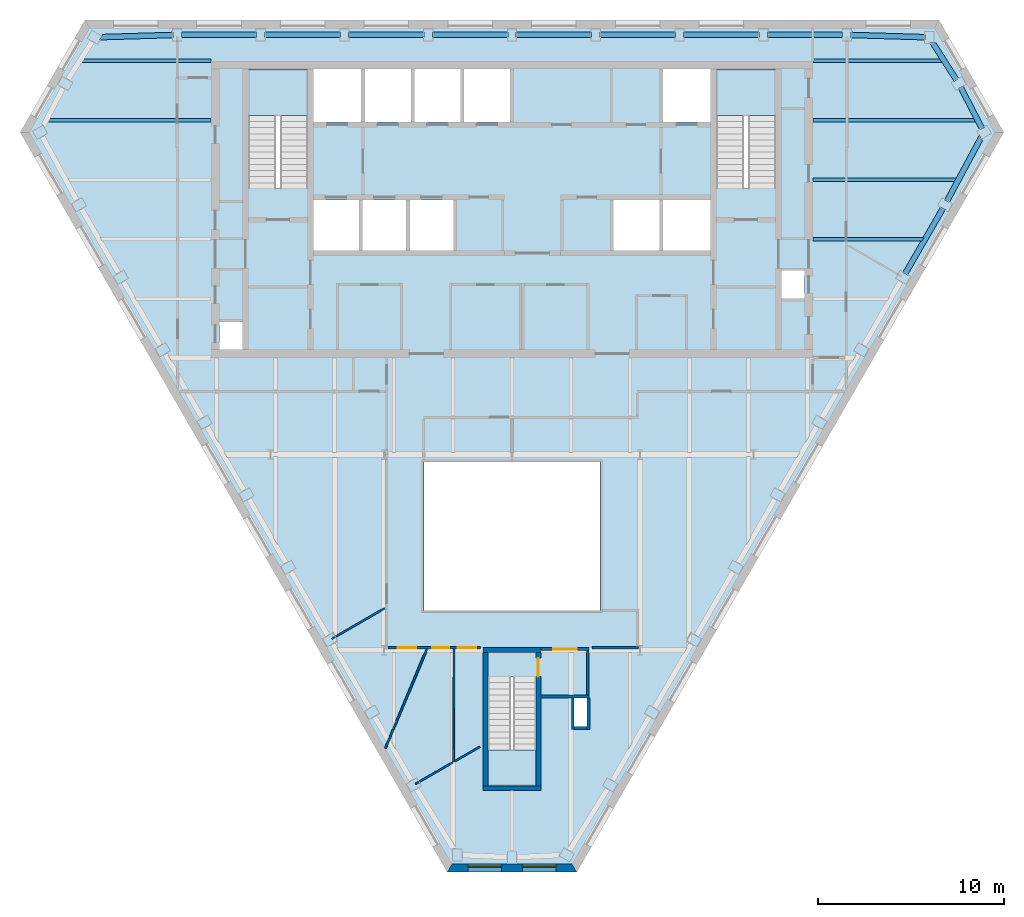
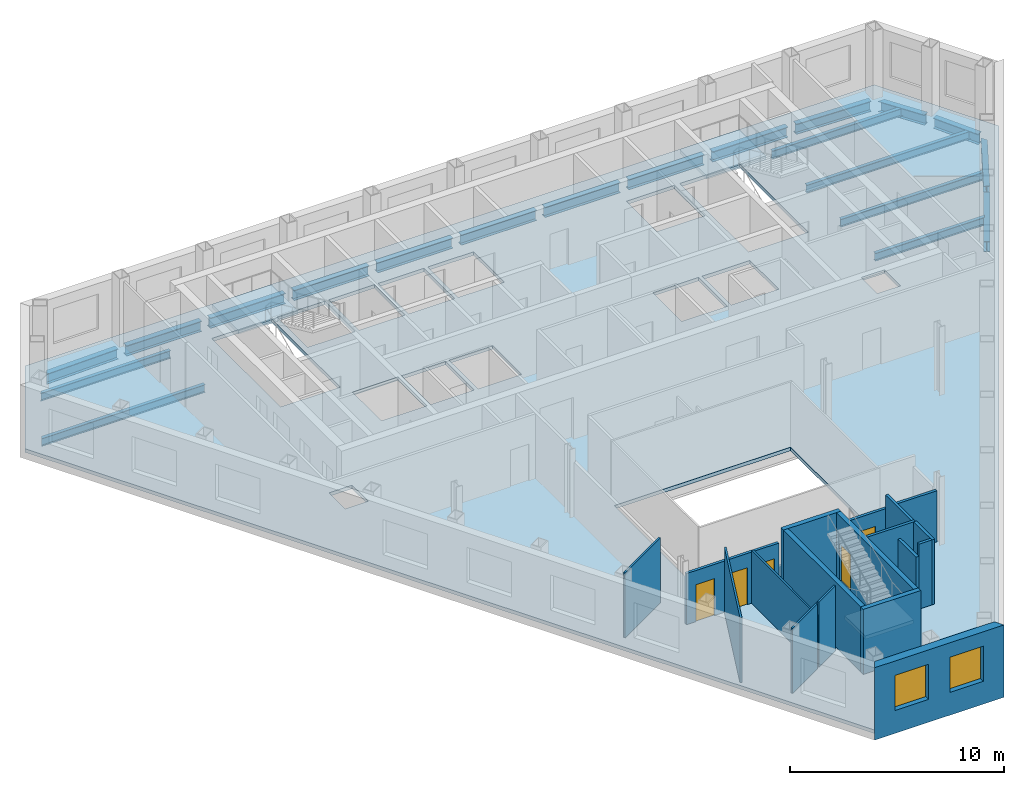
# One storey, part 3 of 11: 20 beams, 18 walls, 5 doors, 4 slabs, 2 windows, 7 openings, 3 elements without a shape of their own.
"""IFC4 building model written with IfcOpenShell, lengths in metres."""

from ifc_helpers import new_model, si_unit, direction, frame, frame_2d, origin, origin_2d, place, context, subcontext, project, spatial, polyline, rectangle, i_section, outline, extrude, clip, halfspace, material, layer, layer_set, material_profile, profile_set, type_object, element, fill, aggregate, save


model = new_model("IFC4")

# Units and contexts
model_context = context("Model", 3, precision=1e-05, world=origin(), true_north=direction((0.0, 1.0)))
body_context = subcontext(model_context, "Body", "Model", "MODEL_VIEW")
ifc_project = project(units=[si_unit("LENGTHUNIT", "METRE"), si_unit("AREAUNIT", "SQUARE_METRE"), si_unit("VOLUMEUNIT", "CUBIC_METRE"), si_unit("PLANEANGLEUNIT", "RADIAN"), si_unit("MASSUNIT", "GRAM", prefix="KILO")], contexts=[model_context])

# Site, building, storey
site_placement = place(None, origin())
site = spatial("IfcSite", under=ifc_project, at=site_placement, CompositionType="ELEMENT")
building_placement = place(site_placement, origin())
building = spatial("IfcBuilding", under=site, at=building_placement, Name="Njiva Tower", CompositionType="ELEMENT")
storey_placement = place(building_placement, frame((0.0, 0.0, 223.8)))
storey = spatial("IfcBuildingStorey", under=building, at=storey_placement, Name="L50", CompositionType="ELEMENT", Elevation=223.8)

# Beams
ifc_material_1 = material(Name="Steel S355 J2", Category="steel")
ifc_material_profile_1 = material_profile(ifc_material_1, i_section(OverallWidth=0.3, OverallDepth=0.59, WebThickness=0.013, FlangeThickness=0.025, at=origin_2d()), Name="HEA 600")
ifc_profile_set_1 = profile_set([ifc_material_profile_1], Name="Steel S355 J2")
beam_type_1 = type_object("IfcBeamType", Name="B27 Short-span spandrel beam HEA 600", PredefinedType="SPANDREL", material=ifc_profile_set_1)
beam_1_placement = place(storey_placement, frame((22.237, 19.274, -0.495), z_axis=(-0.999551960552, 0.029931223781, 0.0), x_axis=(-0.029931223781, -0.999551960552, 0.0)))
element("IfcBeam", 1, at=beam_1_placement, inside=storey, type_object=beam_type_1, Name="Short-span spandrel beam S16-B127", PredefinedType="SPANDREL", context=body_context, shape_type="SweptSolid", body=[
    extrude(i_section(OverallWidth=0.3, OverallDepth=0.59, WebThickness=0.013, FlangeThickness=0.025, at=origin_2d()), origin(), (0.0, 0.0, 1.0), 3.9758),
])
beam_2_placement = place(storey_placement, frame((17.809, 19.4, -0.495), z_axis=(-1.0, 0.0, 0.0), x_axis=(0.0, -1.0, 0.0)))
element("IfcBeam", 2, at=beam_2_placement, inside=storey, type_object=beam_type_1, Name="Short-span spandrel beam S16-B121", PredefinedType="SPANDREL", context=body_context, shape_type="SweptSolid", body=[
    extrude(i_section(OverallWidth=0.3, OverallDepth=0.59, WebThickness=0.013, FlangeThickness=0.025, at=origin_2d()), origin(), (0.0, 0.0, 1.0), 4.058),
])
beam_3_placement = place(storey_placement, frame((13.301, 19.4, -0.495), z_axis=(-1.0, 0.0, 0.0), x_axis=(0.0, -1.0, 0.0)))
element("IfcBeam", 3, at=beam_3_placement, inside=storey, type_object=beam_type_1, Name="Short-span spandrel beam S16-B116", PredefinedType="SPANDREL", context=body_context, shape_type="SweptSolid", body=[
    extrude(i_section(OverallWidth=0.3, OverallDepth=0.59, WebThickness=0.013, FlangeThickness=0.025, at=origin_2d()), origin(), (0.0, 0.0, 1.0), 4.059),
])
beam_4_placement = place(storey_placement, frame((8.792, 19.4, -0.495), z_axis=(-1.0, 0.0, 0.0), x_axis=(0.0, -1.0, 0.0)))
element("IfcBeam", 4, at=beam_4_placement, inside=storey, type_object=beam_type_1, Name="Short-span spandrel beam S16-B111", PredefinedType="SPANDREL", context=body_context, shape_type="SweptSolid", body=[
    extrude(i_section(OverallWidth=0.3, OverallDepth=0.59, WebThickness=0.013, FlangeThickness=0.025, at=origin_2d()), origin(), (0.0, 0.0, 1.0), 4.058),
])
for number, where, z_axis, x_axis, name in (
    (5, (4.284, 19.4, -0.495), (-1.0, 0.0, 0.0), (0.0, -1.0, 0.0), "Short-span spandrel beam S16-B106"),
    (6, (-0.225, 19.4, -0.495), (-1.0, 0.0, 0.0), (0.0, -1.0, 0.0), "Short-span spandrel beam S16-B103"),
):
    element("IfcBeam", number, at=place(storey_placement, frame(where, z_axis=z_axis, x_axis=x_axis)), inside=storey, type_object=beam_type_1, Name=name, PredefinedType="SPANDREL", context=body_context, shape_type="SweptSolid", body=[
        extrude(i_section(OverallWidth=0.3, OverallDepth=0.59, WebThickness=0.013, FlangeThickness=0.025, at=origin_2d()), origin(), (0.0, 0.0, 1.0), 4.059),
    ])
beam_5_placement = place(storey_placement, frame((-4.734, 19.4, -0.495), z_axis=(-1.0, 0.0, 0.0), x_axis=(0.0, -1.0, 0.0)))
element("IfcBeam", 7, at=beam_5_placement, inside=storey, type_object=beam_type_1, Name="Short-span spandrel beam S16-B098", PredefinedType="SPANDREL", context=body_context, shape_type="SweptSolid", body=[
    extrude(i_section(OverallWidth=0.3, OverallDepth=0.59, WebThickness=0.013, FlangeThickness=0.025, at=origin_2d()), origin(), (0.0, 0.0, 1.0), 4.058),
])
beam_6_placement = place(storey_placement, frame((-9.242, 19.4, -0.495), z_axis=(-1.0, 0.0, 0.0), x_axis=(0.0, -1.0, 0.0)))
element("IfcBeam", 8, at=beam_6_placement, inside=storey, type_object=beam_type_1, Name="Short-span spandrel beam S16-B093", PredefinedType="SPANDREL", context=body_context, shape_type="SweptSolid", body=[
    extrude(i_section(OverallWidth=0.3, OverallDepth=0.59, WebThickness=0.013, FlangeThickness=0.025, at=origin_2d()), origin(), (0.0, 0.0, 1.0), 4.059),
])
beam_7_placement = place(storey_placement, frame((-13.751, 19.4, -0.495), z_axis=(-1.0, 0.0, 0.0), x_axis=(0.0, -1.0, 0.0)))
element("IfcBeam", 9, at=beam_7_placement, inside=storey, type_object=beam_type_1, Name="Short-span spandrel beam S16-B088", PredefinedType="SPANDREL", context=body_context, shape_type="SweptSolid", body=[
    extrude(i_section(OverallWidth=0.3, OverallDepth=0.59, WebThickness=0.013, FlangeThickness=0.025, at=origin_2d()), origin(), (0.0, 0.0, 1.0), 4.058),
])
beam_8_placement = place(storey_placement, frame((-18.263, 19.393, -0.495), z_axis=(-0.999546639656, -0.030108390081, 0.0), x_axis=(0.030108390081, -0.999546639656, 0.0)))
element("IfcBeam", 10, at=beam_8_placement, inside=storey, type_object=beam_type_1, Name="Short-span spandrel beam S16-B083", PredefinedType="SPANDREL", context=body_context, shape_type="Clipping", body=[
    clip(extrude(i_section(OverallWidth=0.3, OverallDepth=0.59, WebThickness=0.013, FlangeThickness=0.025, at=origin_2d()), origin(), (0.0, 0.0, 1.0), 3.9657), halfspace(frame((-0.0268, 0.0, 3.836), z_axis=(-0.52584599579, 0.0, 0.850579795617), x_axis=(0.0, 1.0, 0.0)), False)),
])
beam_9_placement = place(storey_placement, frame((21.175, 6.541, -0.495), z_axis=(0.500113408832, 0.865959917263, 0.0), x_axis=(-0.865959917263, 0.500113408832, 0.0)))
element("IfcBeam", 11, at=beam_9_placement, inside=storey, type_object=beam_type_1, Name="Short-span spandrel beam S16-B131", PredefinedType="SPANDREL", context=body_context, shape_type="SweptSolid", body=[
    extrude(i_section(OverallWidth=0.3, OverallDepth=0.59, WebThickness=0.013, FlangeThickness=0.025, at=origin_2d()), origin(), (0.0, 0.0, 1.0), 4.0591),
])
beam_10_placement = place(storey_placement, frame((23.426, 10.452, -0.495), z_axis=(0.473697336162, 0.880687704986, 0.0), x_axis=(-0.880687704986, 0.473697336162, 0.0)))
element("IfcBeam", 12, at=beam_10_placement, inside=storey, type_object=beam_type_1, Name="Short-span spandrel beam S16-B135", PredefinedType="SPANDREL", context=body_context, shape_type="Clipping", body=[
    clip(extrude(i_section(OverallWidth=0.3, OverallDepth=0.59, WebThickness=0.013, FlangeThickness=0.025, at=origin_2d()), origin(), (0.0, 0.0, 1.0), 3.9657), halfspace(frame((-0.026, 0.0, 3.8361), z_axis=(-0.525851211947, 0.0, 0.850576570859), x_axis=(0.0, 1.0, 0.0)), False)),
])
beam_11_placement = place(storey_placement, frame((25.311, 14.36, -0.495), z_axis=(-0.460481072086, 0.887669523106, 0.0), x_axis=(-0.887669523106, -0.460481072086, 0.0)))
element("IfcBeam", 13, at=beam_11_placement, inside=storey, type_object=beam_type_1, Name="Short-span spandrel beam S16-B136", PredefinedType="SPANDREL", context=body_context, shape_type="SweptSolid", body=[
    extrude(i_section(OverallWidth=0.3, OverallDepth=0.59, WebThickness=0.013, FlangeThickness=0.025, at=origin_2d()), origin(), (0.0, 0.0, 1.0), 2.493),
])
beam_12_placement = place(storey_placement, frame((23.932, 16.973, -0.495), z_axis=(-0.538405949855, 0.842685607544, 0.0), x_axis=(-0.842685607544, -0.538405949855, 0.0)))
element("IfcBeam", 14, at=beam_12_placement, inside=storey, type_object=beam_type_1, Name="Short-span spandrel beam S16-B132", PredefinedType="SPANDREL", context=body_context, shape_type="Clipping", body=[
    clip(extrude(i_section(OverallWidth=0.3, OverallDepth=0.59, WebThickness=0.013, FlangeThickness=0.025, at=origin_2d()), origin(), (0.0, 0.0, 1.0), 2.4822), halfspace(frame((-0.0269, 0.0, 2.3491), z_axis=(-0.538405949855, 0.0, 0.842685607544), x_axis=(0.0, 1.0, 0.0)), False)),
])
ifc_material_profile_2 = material_profile(ifc_material_1, i_section(OverallWidth=0.19, OverallDepth=0.45, WebThickness=0.0094, FlangeThickness=0.0146, at=origin_2d()), Name="IPE 450")
ifc_profile_set_2 = profile_set([ifc_material_profile_2], Name="Steel S355 J2")
beam_type_2 = type_object("IfcBeamType", Name="B37 Floor beam to the core IPE 450", PredefinedType="BEAM", material=ifc_profile_set_2)
beam_13_placement = place(storey_placement, frame((16.2, 8.4, -0.425), z_axis=(1.0, 0.0, 0.0), x_axis=(0.0, 1.0, 0.0)))
element("IfcBeam", 15, at=beam_13_placement, inside=storey, type_object=beam_type_2, Name="Floor beam to the core S16-B007", PredefinedType="BEAM", context=body_context, shape_type="Clipping", body=[
    clip(extrude(i_section(OverallWidth=0.19, OverallDepth=0.45, WebThickness=0.0094, FlangeThickness=0.0146, at=origin_2d()), origin(), (0.0, 0.0, 1.0), 6.008), halfspace(frame((-0.025, 0.0, 5.9186), z_axis=(-0.499998009787, 0.0, 0.866026552831), x_axis=(0.0, 1.0, 0.0)), False)),
])
beam_14_placement = place(storey_placement, frame((16.2, 11.6, -0.425), z_axis=(1.0, 0.0, 0.0), x_axis=(0.0, 1.0, 0.0)))
element("IfcBeam", 16, at=beam_14_placement, inside=storey, type_object=beam_type_2, Name="Floor beam to the core S16-B008", PredefinedType="BEAM", context=body_context, shape_type="Clipping", body=[
    clip(extrude(i_section(OverallWidth=0.19, OverallDepth=0.45, WebThickness=0.0094, FlangeThickness=0.0146, at=origin_2d()), origin(), (0.0, 0.0, 1.0), 7.8), halfspace(frame((-0.0237, 0.0, 7.7166), z_axis=(-0.473777178452, 0.0, 0.88064475538), x_axis=(0.0, 1.0, 0.0)), False)),
])
beam_15_placement = place(storey_placement, frame((-25.039, 14.8, -0.425), z_axis=(1.0, 0.0, 0.0), x_axis=(0.0, 1.0, 0.0)))
element("IfcBeam", 17, at=beam_15_placement, inside=storey, type_object=beam_type_2, Name="Floor beam to the core S16-B001", PredefinedType="BEAM", context=body_context, shape_type="Clipping", body=[
    clip(extrude(i_section(OverallWidth=0.19, OverallDepth=0.45, WebThickness=0.0094, FlangeThickness=0.0146, at=origin_2d()), origin(), (0.0, 0.0, 1.0), 8.839), halfspace(frame((0.023, 0.0, 0.0806), z_axis=(0.460472152758, 0.0, -0.887674149975), x_axis=(0.0, -1.0, 0.0)), False)),
])
beam_16_placement = place(storey_placement, frame((16.2, 14.8, -0.425), z_axis=(1.0, 0.0, 0.0), x_axis=(0.0, 1.0, 0.0)))
element("IfcBeam", 18, at=beam_16_placement, inside=storey, type_object=beam_type_2, Name="Floor beam to the core S16-B009", PredefinedType="BEAM", context=body_context, shape_type="Clipping", body=[
    clip(extrude(i_section(OverallWidth=0.19, OverallDepth=0.45, WebThickness=0.0094, FlangeThickness=0.0146, at=origin_2d()), origin(), (0.0, 0.0, 1.0), 8.839), halfspace(frame((0.023, 0.0, 8.7584), z_axis=(0.460472152758, 0.0, 0.887674149975), x_axis=(0.0, 1.0, 0.0)), False)),
])
beam_17_placement = place(storey_placement, frame((-23.238, 18.0, -0.425), z_axis=(1.0, 0.0, 0.0), x_axis=(0.0, 1.0, 0.0)))
element("IfcBeam", 19, at=beam_17_placement, inside=storey, type_object=beam_type_2, Name="Floor beam to the core S16-B003", PredefinedType="BEAM", context=body_context, shape_type="Clipping", body=[
    clip(extrude(i_section(OverallWidth=0.19, OverallDepth=0.45, WebThickness=0.0094, FlangeThickness=0.0146, at=origin_2d()), origin(), (0.0, 0.0, 1.0), 7.038), halfspace(frame((0.0269, 0.0, 0.098), z_axis=(0.538509600291, 0.0, -0.842619374566), x_axis=(0.0, -1.0, 0.0)), False)),
])
beam_18_placement = place(storey_placement, frame((16.2, 18.0, -0.425), z_axis=(1.0, 0.0, 0.0), x_axis=(0.0, 1.0, 0.0)))
element("IfcBeam", 20, at=beam_18_placement, inside=storey, type_object=beam_type_2, Name="Floor beam to the core S16-B010", PredefinedType="BEAM", context=body_context, shape_type="Clipping", body=[
    clip(extrude(i_section(OverallWidth=0.19, OverallDepth=0.45, WebThickness=0.0094, FlangeThickness=0.0146, at=origin_2d()), origin(), (0.0, 0.0, 1.0), 7.038), halfspace(frame((0.0269, 0.0, 6.94), z_axis=(0.538509600291, 0.0, 0.842619374566), x_axis=(0.0, 1.0, 0.0)), False)),
])

# Stair, slab
ifc_material_2 = material(Name="Concrete C40/50", Category="concrete")
stair_type_1 = type_object("IfcStairType", Name="ST4 Exit stair 1500", PredefinedType="HALF_TURN_STAIR", material=ifc_material_2)
stair_1_placement = place(storey_placement, origin())
stair_1 = element("IfcStair", 21, at=stair_1_placement, inside=storey, type_object=stair_type_1, Name="Stair A", PredefinedType="HALF_TURN_STAIR")
ifc_layer_1 = layer(ifc_material_2, 0.2)
ifc_layer_set_1 = layer_set([ifc_layer_1], Name="Concrete C40/50")
slab_type_1 = type_object("IfcSlabType", Name="FL9 Stair landing 200", PredefinedType="LANDING", material=ifc_layer_set_1)
slab_1_placement = place(storey_placement, frame((0.0, 0.0, 1.75)))
slab_1 = element("IfcSlab", 22, at=slab_1_placement, type_object=slab_type_1, Name="ST-A landing 1", PredefinedType="LANDING", context=body_context, shape_type="SweptSolid", body=[
    extrude(outline(polyline([(-14.206, 15.06), (-10.994, 15.06), (-10.994, 17.55), (-14.206, 17.55), (-14.206, 15.06)])), origin(), (0.0, 0.0, 1.0), 0.2),
])
aggregate(stair_1, [slab_1])

stair_2_placement = place(storey_placement, origin())
stair_2 = element("IfcStair", 23, at=stair_2_placement, inside=storey, type_object=stair_type_1, Name="Stair B", PredefinedType="HALF_TURN_STAIR")
slab_2_placement = place(storey_placement, frame((0.0, 0.0, 1.75)))
slab_2 = element("IfcSlab", 24, at=slab_2_placement, type_object=slab_type_1, Name="ST-B landing 1", PredefinedType="LANDING", context=body_context, shape_type="SweptSolid", body=[
    extrude(outline(polyline([(10.994, 15.06), (14.206, 15.06), (14.206, 17.55), (10.994, 17.55), (10.994, 15.06)])), origin(), (0.0, 0.0, 1.0), 0.2),
])
aggregate(stair_2, [slab_2])

stair_type_2 = type_object("IfcStairType", Name="ST1 Exit stair 1250", PredefinedType="HALF_TURN_STAIR", material=ifc_material_2)
stair_3_placement = place(storey_placement, origin())
stair_3 = element("IfcStair", 25, at=stair_3_placement, inside=storey, type_object=stair_type_2, Name="Stair C", PredefinedType="HALF_TURN_STAIR")
slab_3_placement = place(storey_placement, frame((0.0, 0.0, 1.75)))
slab_3 = element("IfcSlab", 26, at=slab_3_placement, type_object=slab_type_1, Name="ST-C landing 1", PredefinedType="LANDING", context=body_context, shape_type="SweptSolid", body=[
    extrude(outline(polyline([(-1.306, -21.05), (1.306, -21.05), (1.306, -19.12), (-1.306, -19.12), (-1.306, -21.05)])), origin(), (0.0, 0.0, 1.0), 0.2),
])
aggregate(stair_3, [slab_3])

# Slab
ifc_material_3 = material(Name="Concrete C30/37", Category="concrete")
ifc_layer_2 = layer(ifc_material_3, 0.2)
ifc_layer_set_2 = layer_set([ifc_layer_2], Name="Concrete C30/37")
slab_type_2 = type_object("IfcSlabType", Name="SL16 Composite floor slab 200", PredefinedType="FLOOR", material=ifc_layer_set_2)
slab_4_placement = place(storey_placement, frame((0.0, 0.0, -0.2)))
element("IfcSlab", 27, at=slab_4_placement, inside=storey, type_object=slab_type_2, Name="Floor slab L50", PredefinedType="FLOOR", context=body_context, shape_type="SweptSolid", body=[
    extrude(outline(polyline([(26.2352, 14.1551), (3.3601, -25.4657), (-3.3601, -25.4657), (-26.2352, 14.1551), (-22.8751, 19.975), (22.8751, 19.975), (26.2352, 14.1551)]), holes=[polyline([(14.5, 5.2), (15.75, 5.2), (15.75, 6.7), (14.5, 6.7), (14.5, 5.2)]), polyline([(10.994, 17.55), (10.994, 11.13), (14.206, 11.13), (14.206, 17.55), (10.994, 17.55)]), polyline([(8.125, 17.55), (8.125, 14.7), (10.7, 14.7), (10.7, 17.55), (8.125, 17.55)]), polyline([(8.1333, 7.8), (10.7, 7.8), (10.7, 10.5), (8.1333, 10.5), (8.1333, 7.8)]), polyline([(5.4667, 7.8), (7.9333, 7.8), (7.9333, 10.5), (5.4667, 10.5), (5.4667, 7.8)]), polyline([(4.75, -11.6), (4.75, -3.6), (-4.75, -3.6), (-4.75, -11.6), (4.75, -11.6)]), polyline([(3.35, -17.85), (4.05, -17.85), (4.05, -16.3), (3.35, -16.3), (3.35, -17.85)]), polyline([(-1.306, -21.05), (1.306, -21.05), (1.306, -15.19), (-1.306, -15.19), (-1.306, -21.05)]), polyline([(-2.575, 14.7), (-0.1, 14.7), (-0.1, 17.55), (-2.575, 17.55), (-2.575, 14.7)]), polyline([(-5.25, 14.7), (-2.775, 14.7), (-2.775, 17.55), (-5.25, 17.55), (-5.25, 14.7)]), polyline([(-5.5, 7.8), (-3.15, 7.8), (-3.15, 10.5), (-5.5, 10.5), (-5.5, 7.8)]), polyline([(-7.925, 14.7), (-5.45, 14.7), (-5.45, 17.55), (-7.925, 17.55), (-7.925, 14.7)]), polyline([(-8.05, 7.8), (-5.7, 7.8), (-5.7, 10.5), (-8.05, 10.5), (-8.05, 7.8)]), polyline([(-10.7, 14.7), (-8.125, 14.7), (-8.125, 17.55), (-10.7, 17.55), (-10.7, 14.7)]), polyline([(-10.7, 7.8), (-8.25, 7.8), (-8.25, 10.5), (-10.7, 10.5), (-10.7, 7.8)]), polyline([(-14.206, 11.13), (-10.994, 11.13), (-10.994, 17.55), (-14.206, 17.55), (-14.206, 11.13)]), polyline([(-15.75, 2.45), (-14.5, 2.45), (-14.5, 3.95), (-15.75, 3.95), (-15.75, 2.45)])]), origin(), (0.0, 0.0, 1.0), 0.2),
])

# Walls
ifc_material_4 = material(Name="Gypsum board on steel studs", Category="gypsum")
ifc_layer_3 = layer(ifc_material_4, 0.1)
ifc_layer_set_3 = layer_set([ifc_layer_3], Name="Gypsum board on steel studs")
wall_type_1 = type_object("IfcWallType", Name="WT20 Gypsum partition 100", PredefinedType="PARTITIONING", material=ifc_layer_set_3)
wall_1_placement = place(storey_placement, frame((-9.705, -13.126, 0.0), z_axis=(0.0, 0.0, 1.0), x_axis=(0.865938055058, 0.500151261923, 0.0)))
element("IfcWall", 28, at=wall_1_placement, inside=storey, type_object=wall_type_1, Name="Partition S16-P006", PredefinedType="PARTITIONING", context=body_context, shape_type="SweptSolid", body=[
    extrude(rectangle(XDim=3.297, YDim=0.1, at=frame_2d((1.6485, 0.0))), origin(), (0.0, 0.0, 1.0), 3.7),
])
wall_2_placement = place(storey_placement, frame((-6.821, -19.02, 0.0), z_axis=(0.0, 0.0, 1.0), x_axis=(0.386360825785, 0.922347717674, 0.0)))
element("IfcWall", 29, at=wall_2_placement, inside=storey, type_object=wall_type_1, Name="Partition S16-P008", PredefinedType="PARTITIONING", context=body_context, shape_type="SweptSolid", body=[
    extrude(rectangle(XDim=5.7744, YDim=0.1, at=frame_2d((2.8872, 0.0))), origin(), (0.0, 0.0, 1.0), 3.7),
])
wall_3_placement = place(storey_placement, frame((-5.195, -20.937, 0.0), z_axis=(0.0, 0.0, 1.0), x_axis=(0.866092546171, 0.499883687939, 0.0)))
element("IfcWall", 30, at=wall_3_placement, inside=storey, type_object=wall_type_1, Name="Partition S16-P011", PredefinedType="PARTITIONING", context=body_context, shape_type="SweptSolid", body=[
    extrude(rectangle(XDim=2.3265, YDim=0.1, at=frame_2d((1.1632, 0.0))), origin(), (0.0, 0.0, 1.0), 3.7),
])
wall_4_placement = place(storey_placement, frame((-3.143, -19.751, 0.0), z_axis=(0.0, 0.0, 1.0), x_axis=(0.003456200555, 0.999994027321, 0.0)))
element("IfcWall", 31, at=wall_4_placement, inside=storey, type_object=wall_type_1, Name="Partition S16-P014", PredefinedType="PARTITIONING", context=body_context, shape_type="SweptSolid", body=[
    extrude(rectangle(XDim=6.076, YDim=0.1, at=frame_2d((3.038, 0.0))), origin(), (0.0, 0.0, 1.0), 3.01),
])
wall_5_placement = place(storey_placement, frame((-3.068, -19.709, 0.0), z_axis=(0.0, 0.0, 1.0), x_axis=(0.866131897097, 0.499815502792, 0.0)))
element("IfcWall", 32, at=wall_5_placement, inside=storey, type_object=wall_type_1, Name="Partition S16-P015", PredefinedType="PARTITIONING", context=body_context, shape_type="SweptSolid", body=[
    extrude(rectangle(XDim=1.5506, YDim=0.1, at=frame_2d((0.7753, 0.0))), origin(), (0.0, 0.0, 1.0), 3.7),
])

# Wall, openings, doors
ifc_layer_4 = layer(ifc_material_4, 0.15)
ifc_layer_set_4 = layer_set([ifc_layer_4], Name="Gypsum board on steel studs")
wall_type_2 = type_object("IfcWallType", Name="WT21 Compartment wall 150", PredefinedType="PARTITIONING", material=ifc_layer_set_4)
wall_6_placement = place(storey_placement, frame((-6.675, -13.6, 0.0), z_axis=(0.0, 0.0, 1.0), x_axis=(1.0, 0.0, 0.0)))
wall_6 = element("IfcWall", 33, at=wall_6_placement, inside=storey, type_object=wall_type_2, Name="Partition S16-P010", PredefinedType="PARTITIONING", context=body_context, shape_type="SweptSolid", body=[
    extrude(rectangle(XDim=4.975, YDim=0.15, at=frame_2d((2.4875, 0.0))), origin(), (0.0, 0.0, 1.0), 2.91),
])
opening_1_placement = place(wall_6_placement, frame((0.522, 0.0, 0.0)))
opening_1 = element("IfcOpeningElement", 34, at=opening_1_placement, cuts=wall_6, Name="Opening S16-D007", PredefinedType="OPENING", context=body_context, shape_type="SweptSolid", body=[
    extrude(rectangle(XDim=1.0, YDim=2.1, at=frame_2d((0.5, 1.05))), frame((0.0, 0.085, 0.0), z_axis=(0.0, -1.0, 0.0), x_axis=(1.0, 0.0, 0.0)), (0.0, 0.0, 1.0), 0.17),
])
opening_2_placement = place(wall_6_placement, frame((2.389, 0.0, 0.0)))
opening_2 = element("IfcOpeningElement", 35, at=opening_2_placement, cuts=wall_6, Name="Opening S16-D008", PredefinedType="OPENING", context=body_context, shape_type="SweptSolid", body=[
    extrude(rectangle(XDim=0.9, YDim=2.1, at=frame_2d((0.45, 1.05))), frame((0.0, 0.085, 0.0), z_axis=(0.0, -1.0, 0.0), x_axis=(1.0, 0.0, 0.0)), (0.0, 0.0, 1.0), 0.17),
])
opening_3_placement = place(wall_6_placement, frame((3.753, 0.0, 0.0)))
opening_3 = element("IfcOpeningElement", 36, at=opening_3_placement, cuts=wall_6, Name="Opening S16-D009", PredefinedType="OPENING", context=body_context, shape_type="SweptSolid", body=[
    extrude(rectangle(XDim=1.0, YDim=2.1, at=frame_2d((0.5, 1.05))), frame((0.0, 0.085, 0.0), z_axis=(0.0, -1.0, 0.0), x_axis=(1.0, 0.0, 0.0)), (0.0, 0.0, 1.0), 0.17),
])
ifc_material_5 = material(Name="Steel fire door set", Category="steel")
door_type_1 = type_object("IfcDoorType", Name="D36 Fire door 900x2100", OperationType="SINGLE_SWING_LEFT", PredefinedType="DOOR", material=ifc_material_5)
door_1_placement = place(opening_2_placement, origin())
door_1 = element("IfcDoor", 37, at=door_1_placement, inside=storey, type_object=door_type_1, Name="Door S16-D008", OperationType="SINGLE_SWING_RIGHT", OverallHeight=2.1, OverallWidth=0.9, PredefinedType="DOOR", context=body_context, shape_type="SweptSolid", body=[
    extrude(rectangle(XDim=0.9, YDim=2.1, at=frame_2d((0.45, 1.05))), frame((0.0, 0.025, 0.0), z_axis=(0.0, -1.0, 0.0), x_axis=(1.0, 0.0, 0.0)), (0.0, 0.0, 1.0), 0.05),
])
fill(opening_2, door_1)
door_type_2 = type_object("IfcDoorType", Name="D37 Fire door 1000x2100", OperationType="SINGLE_SWING_LEFT", PredefinedType="DOOR", material=ifc_material_5)
door_2_placement = place(opening_1_placement, origin())
door_2 = element("IfcDoor", 38, at=door_2_placement, inside=storey, type_object=door_type_2, Name="Door S16-D007", OperationType="SINGLE_SWING_LEFT", OverallHeight=2.1, OverallWidth=1.0, PredefinedType="DOOR", context=body_context, shape_type="SweptSolid", body=[
    extrude(rectangle(XDim=1.0, YDim=2.1, at=frame_2d((0.5, 1.05))), frame((0.0, 0.025, 0.0), z_axis=(0.0, -1.0, 0.0), x_axis=(1.0, 0.0, 0.0)), (0.0, 0.0, 1.0), 0.05),
])
fill(opening_1, door_2)
door_3_placement = place(opening_3_placement, origin())
door_3 = element("IfcDoor", 39, at=door_3_placement, inside=storey, type_object=door_type_2, Name="Door S16-D009", OperationType="SINGLE_SWING_RIGHT", OverallHeight=2.1, OverallWidth=1.0, PredefinedType="DOOR", context=body_context, shape_type="SweptSolid", body=[
    extrude(rectangle(XDim=1.0, YDim=2.1, at=frame_2d((0.5, 1.05))), frame((0.0, 0.025, 0.0), z_axis=(0.0, -1.0, 0.0), x_axis=(1.0, 0.0, 0.0)), (0.0, 0.0, 1.0), 0.05),
])
fill(opening_3, door_3)

# Walls
wall_7_placement = place(storey_placement, frame((4.3, -13.6, 0.0), z_axis=(0.0, 0.0, 1.0), x_axis=(1.0, 0.0, 0.0)))
element("IfcWall", 40, at=wall_7_placement, inside=storey, type_object=wall_type_2, Name="Partition S16-P017", PredefinedType="PARTITIONING", context=body_context, shape_type="SweptSolid", body=[
    extrude(rectangle(XDim=2.525, YDim=0.15, at=frame_2d((1.2625, 0.0))), origin(), (0.0, 0.0, 1.0), 2.91),
])
ifc_material_6 = material(Name="Blockwork", Category="masonry")
ifc_layer_5 = layer(ifc_material_6, 0.15)
ifc_layer_set_5 = layer_set([ifc_layer_5], Name="Blockwork")
wall_type_3 = type_object("IfcWallType", Name="WT4 Stair partition 150", PredefinedType="PARTITIONING", material=ifc_layer_set_5)
wall_8_placement = place(storey_placement, frame((1.55, -16.225, 0.0), z_axis=(0.0, 0.0, 1.0), x_axis=(1.0, 0.0, 0.0)))
element("IfcWall", 41, at=wall_8_placement, inside=storey, type_object=wall_type_3, Name="Stair C vestibule wall south", PredefinedType="PARTITIONING", context=body_context, shape_type="SweptSolid", body=[
    extrude(rectangle(XDim=2.6, YDim=0.15, at=frame_2d((1.3, 0.0))), origin(), (0.0, 0.0, 1.0), 3.7),
])
wall_9_placement = place(storey_placement, frame((4.075, -16.15, 0.0), z_axis=(0.0, 0.0, 1.0), x_axis=(0.0, 1.0, 0.0)))
element("IfcWall", 42, at=wall_9_placement, inside=storey, type_object=wall_type_3, Name="Stair C vestibule wall east", PredefinedType="PARTITIONING", context=body_context, shape_type="SweptSolid", body=[
    extrude(rectangle(XDim=2.4, YDim=0.15, at=frame_2d((1.2, 0.0))), origin(), (0.0, 0.0, 1.0), 3.7),
])

# Wall, opening, door
wall_10_placement = place(storey_placement, frame((1.55, -13.675, 0.0), z_axis=(0.0, 0.0, 1.0), x_axis=(1.0, 0.0, 0.0)))
wall_10 = element("IfcWall", 43, at=wall_10_placement, inside=storey, type_object=wall_type_3, Name="Stair C vestibule wall north", PredefinedType="PARTITIONING", context=body_context, shape_type="SweptSolid", body=[
    extrude(rectangle(XDim=2.6, YDim=0.15, at=frame_2d((1.3, 0.0))), origin(), (0.0, 0.0, 1.0), 2.91),
])
opening_4_placement = place(wall_10_placement, frame((0.675, 0.0, 0.0)))
opening_4 = element("IfcOpeningElement", 44, at=opening_4_placement, cuts=wall_10, Name="Opening S16-D941", PredefinedType="OPENING", context=body_context, shape_type="SweptSolid", body=[
    extrude(rectangle(XDim=1.25, YDim=2.1, at=frame_2d((0.625, 1.05))), frame((0.0, 0.085, 0.0), z_axis=(0.0, -1.0, 0.0), x_axis=(1.0, 0.0, 0.0)), (0.0, 0.0, 1.0), 0.17),
])
ifc_material_7 = material(Name="Glazed steel fire door", Category="steel")
door_type_3 = type_object("IfcDoorType", Name="D8 Vestibule corridor door 1250x2100 glazed", OperationType="SINGLE_SWING_LEFT", PredefinedType="DOOR", material=ifc_material_7)
door_4_placement = place(opening_4_placement, origin())
door_4 = element("IfcDoor", 45, at=door_4_placement, inside=storey, type_object=door_type_3, Name="Stair vestibule corridor door", OperationType="SINGLE_SWING_RIGHT", OverallHeight=2.1, OverallWidth=1.25, PredefinedType="DOOR", context=body_context, shape_type="SweptSolid", body=[
    extrude(rectangle(XDim=1.25, YDim=2.1, at=frame_2d((0.625, 1.05))), frame((0.0, 0.025, 0.0), z_axis=(0.0, -1.0, 0.0), x_axis=(1.0, 0.0, 0.0)), (0.0, 0.0, 1.0), 0.05),
])
fill(opening_4, door_4)

# Walls
wall_11_placement = place(storey_placement, frame((3.275, -18.0, 0.0), z_axis=(0.0, 0.0, 1.0), x_axis=(0.0, 1.0, 0.0)))
element("IfcWall", 46, at=wall_11_placement, inside=storey, type_object=wall_type_3, Name="Stair C pressurisation shaft wall", PredefinedType="PARTITIONING", context=body_context, shape_type="SweptSolid", body=[
    extrude(rectangle(XDim=1.7, YDim=0.15, at=frame_2d((0.85, 0.0))), origin(), (0.0, 0.0, 1.0), 3.01),
])
wall_12_placement = place(storey_placement, frame((3.35, -17.925, 0.0), z_axis=(0.0, 0.0, 1.0), x_axis=(1.0, 0.0, 0.0)))
element("IfcWall", 47, at=wall_12_placement, inside=storey, type_object=wall_type_3, Name="Stair C pressurisation shaft wall", PredefinedType="PARTITIONING", context=body_context, shape_type="SweptSolid", body=[
    extrude(rectangle(XDim=0.7, YDim=0.15, at=frame_2d((0.35, 0.0))), origin(), (0.0, 0.0, 1.0), 3.7),
])
wall_13_placement = place(storey_placement, frame((4.125, -18.0, 0.0), z_axis=(0.0, 0.0, 1.0), x_axis=(0.0, 1.0, 0.0)))
element("IfcWall", 48, at=wall_13_placement, inside=storey, type_object=wall_type_3, Name="Stair C pressurisation shaft wall", PredefinedType="PARTITIONING", context=body_context, shape_type="SweptSolid", body=[
    extrude(rectangle(XDim=1.7, YDim=0.15, at=frame_2d((0.85, 0.0))), origin(), (0.0, 0.0, 1.0), 3.7),
])
ifc_layer_6 = layer(ifc_material_2, 0.25)
ifc_layer_set_6 = layer_set([ifc_layer_6], Name="Concrete C40/50")
wall_type_4 = type_object("IfcWallType", Name="WT9 Stair enclosure wall 250", PredefinedType="SHEAR", material=ifc_layer_set_6)
wall_14_placement = place(storey_placement, frame((-1.425, -21.05, 0.0), z_axis=(0.0, 0.0, 1.0), x_axis=(0.0, 1.0, 0.0)))
element("IfcWall", 49, at=wall_14_placement, inside=storey, type_object=wall_type_4, Name="Stair C wall west", PredefinedType="SHEAR", context=body_context, shape_type="SweptSolid", body=[
    extrude(rectangle(XDim=7.2, YDim=0.25, at=frame_2d((3.6, 0.0))), origin(), (0.0, 0.0, 1.0), 3.7),
])

# Wall, opening, door
wall_15_placement = place(storey_placement, frame((1.425, -21.05, 0.0), z_axis=(0.0, 0.0, 1.0), x_axis=(0.0, 1.0, 0.0)))
wall_15 = element("IfcWall", 50, at=wall_15_placement, inside=storey, type_object=wall_type_4, Name="Stair C wall east", PredefinedType="SHEAR", context=body_context, shape_type="SweptSolid", body=[
    extrude(rectangle(XDim=7.2, YDim=0.25, at=frame_2d((3.6, 0.0))), origin(), (0.0, 0.0, 1.0), 3.7),
])
opening_5_placement = place(wall_15_placement, frame((5.89, 0.0, 0.0)))
opening_5 = element("IfcOpeningElement", 51, at=opening_5_placement, cuts=wall_15, Name="Opening S16-D940", PredefinedType="OPENING", context=body_context, shape_type="SweptSolid", body=[
    extrude(rectangle(XDim=1.0, YDim=2.1, at=frame_2d((0.5, 1.05))), frame((0.0, 0.135, 0.0), z_axis=(0.0, -1.0, 0.0), x_axis=(1.0, 0.0, 0.0)), (0.0, 0.0, 1.0), 0.27),
])
door_type_4 = type_object("IfcDoorType", Name="D9 Stair vestibule door 1000x2100 glazed", OperationType="SINGLE_SWING_LEFT", PredefinedType="DOOR", material=ifc_material_7)
door_5_placement = place(opening_5_placement, origin())
door_5 = element("IfcDoor", 52, at=door_5_placement, inside=storey, type_object=door_type_4, Name="Stair C door", OperationType="SINGLE_SWING_LEFT", OverallHeight=2.1, OverallWidth=1.0, PredefinedType="DOOR", context=body_context, shape_type="SweptSolid", body=[
    extrude(rectangle(XDim=1.0, YDim=2.1, at=frame_2d((0.5, 1.05))), frame((0.0, 0.025, 0.0), z_axis=(0.0, -1.0, 0.0), x_axis=(1.0, 0.0, 0.0)), (0.0, 0.0, 1.0), 0.05),
])
fill(opening_5, door_5)

# Walls
for number, where, z_axis, x_axis, name in (
    (53, (-1.55, -21.175, 0.0), (0.0, 0.0, 1.0), (1.0, 0.0, 0.0), "Stair C wall south"),
    (54, (-1.55, -13.725, 0.0), (0.0, 0.0, 1.0), (1.0, 0.0, 0.0), "Stair C wall north"),
):
    element("IfcWall", number, at=place(storey_placement, frame(where, z_axis=z_axis, x_axis=x_axis)), inside=storey, type_object=wall_type_4, Name=name, PredefinedType="SHEAR", context=body_context, shape_type="SweptSolid", body=[
        extrude(rectangle(XDim=3.1, YDim=0.25, at=frame_2d((1.55, 0.0))), origin(), (0.0, 0.0, 1.0), 3.7),
    ])

# Wall, openings, windows
ifc_material_8 = material(Name="Brick masonry, buff", Category="masonry")
ifc_layer_7 = layer(ifc_material_8, 0.45)
ifc_layer_set_7 = layer_set([ifc_layer_7], Name="Brick masonry, buff")
wall_type_5 = type_object("IfcWallType", Name="WT94 Brick pier and spandrel wall 450, buff", PredefinedType="SOLIDWALL", material=ifc_layer_set_7)
wall_16_placement = place(storey_placement, frame((-3.3601, -25.4657, -0.4), z_axis=(0.0, 0.0, 1.0), x_axis=(1.0, 0.0, 0.0)))
wall_16 = element("IfcWall", 55, at=wall_16_placement, inside=storey, type_object=wall_type_5, Name="Facade wall S", PredefinedType="SOLIDWALL", context=body_context, shape_type="SweptSolid", body=[
    extrude(outline(polyline([(-0.1299, -0.225), (6.8501, -0.225), (6.5903, 0.225), (0.1299, 0.225), (-0.1299, -0.225)])), origin(), (0.0, 0.0, 1.0), 4.12),
])
opening_6_placement = place(wall_16_placement, frame((0.9844, 0.0, 1.3)))
opening_6 = element("IfcOpeningElement", 56, at=opening_6_placement, cuts=wall_16, Name="Opening S16-W20", PredefinedType="OPENING", context=body_context, shape_type="SweptSolid", body=[
    extrude(rectangle(XDim=1.8, YDim=2.0, at=frame_2d((0.9, 1.0))), frame((0.0, 0.235, 0.0), z_axis=(0.0, -1.0, 0.0), x_axis=(1.0, 0.0, 0.0)), (0.0, 0.0, 1.0), 0.47),
])
opening_7_placement = place(wall_16_placement, frame((3.9357, 0.0, 1.3)))
opening_7 = element("IfcOpeningElement", 57, at=opening_7_placement, cuts=wall_16, Name="Opening S16-W21", PredefinedType="OPENING", context=body_context, shape_type="SweptSolid", body=[
    extrude(rectangle(XDim=1.8, YDim=2.0, at=frame_2d((0.9, 1.0))), frame((0.0, 0.235, 0.0), z_axis=(0.0, -1.0, 0.0), x_axis=(1.0, 0.0, 0.0)), (0.0, 0.0, 1.0), 0.47),
])
ifc_material_9 = material(Name="Clear glazing in aluminium frame", Category="aluminium")
window_type = type_object("IfcWindowType", Name="W94 Deep-set window 1800x2000", PartitioningType="SINGLE_PANEL", PredefinedType="WINDOW", material=ifc_material_9)
window_1_placement = place(opening_6_placement, origin())
window_1 = element("IfcWindow", 58, at=window_1_placement, inside=storey, type_object=window_type, Name="Window", OverallHeight=2.0, OverallWidth=1.8, PartitioningType="SINGLE_PANEL", PredefinedType="WINDOW", context=body_context, shape_type="SweptSolid", body=[
    extrude(rectangle(XDim=1.8, YDim=2.0, at=frame_2d((0.9, 1.0))), frame((0.0, 0.105, 0.0), z_axis=(0.0, -1.0, 0.0), x_axis=(1.0, 0.0, 0.0)), (0.0, 0.0, 1.0), 0.06),
])
fill(opening_6, window_1)
window_2_placement = place(opening_7_placement, origin())
window_2 = element("IfcWindow", 59, at=window_2_placement, inside=storey, type_object=window_type, Name="Window", OverallHeight=2.0, OverallWidth=1.8, PartitioningType="SINGLE_PANEL", PredefinedType="WINDOW", context=body_context, shape_type="SweptSolid", body=[
    extrude(rectangle(XDim=1.8, YDim=2.0, at=frame_2d((0.9, 1.0))), frame((0.0, 0.105, 0.0), z_axis=(0.0, -1.0, 0.0), x_axis=(1.0, 0.0, 0.0)), (0.0, 0.0, 1.0), 0.06),
])
fill(opening_7, window_2)

save(model, "model.ifc")
